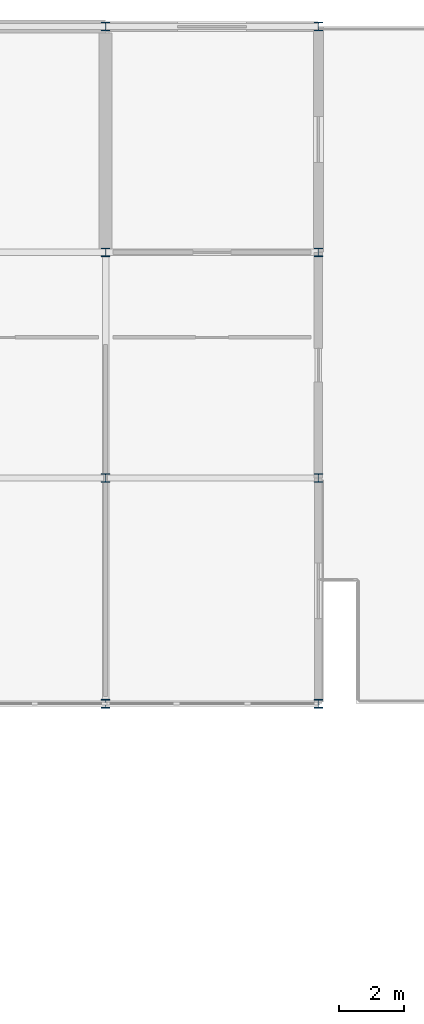
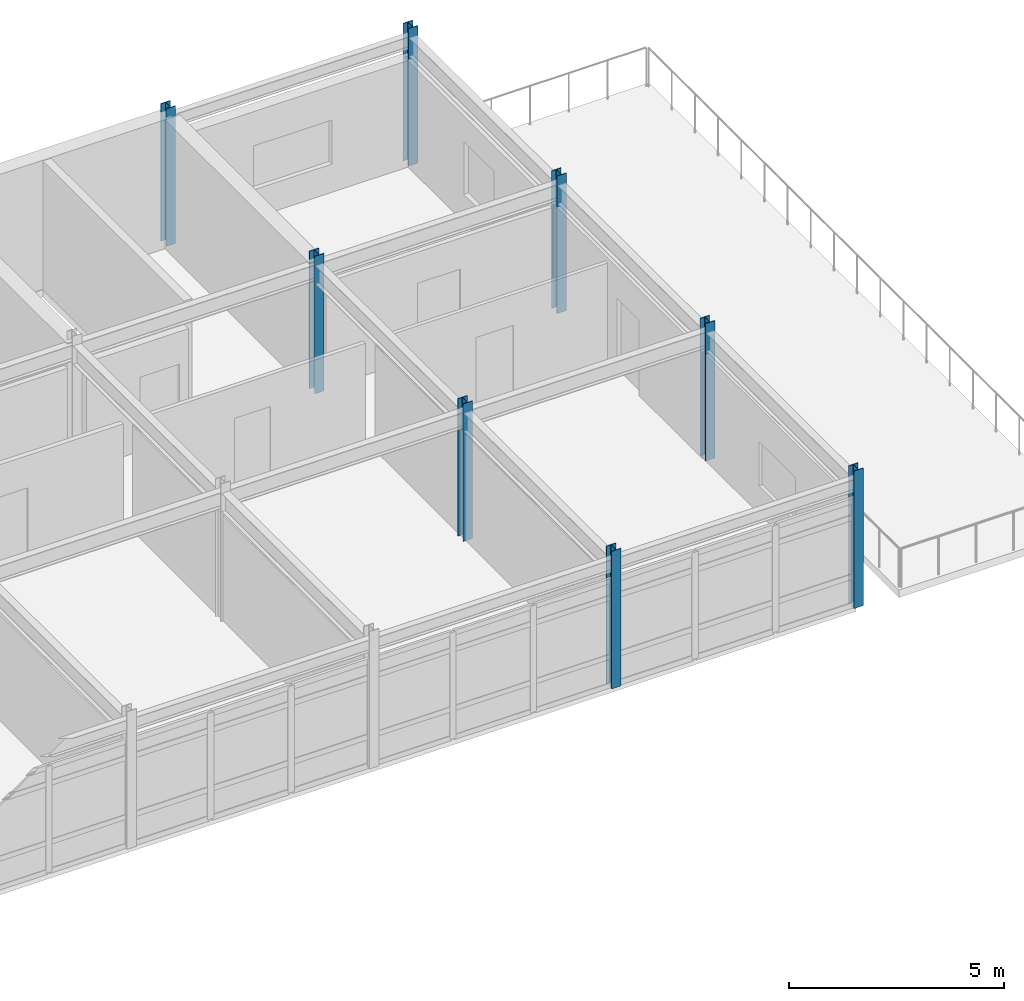
# One storey, part 12 of 57: 8 columns.
"""IFC4 building model written with IfcOpenShell, lengths in metres."""

from ifc_helpers import new_model, si_unit, direction, frame, origin, origin_2d, place, context, subcontext, project, spatial, i_section, extrude, material, material_profile, profile_set, type_object, element, save


model = new_model("IFC4")

# Units and contexts
model_context = context("Model", 3, precision=1e-05, world=origin(), true_north=direction((0.0, 1.0)))
body_context = subcontext(model_context, "Body", "Model", "MODEL_VIEW")
ifc_project = project(units=[si_unit("LENGTHUNIT", "METRE"), si_unit("AREAUNIT", "SQUARE_METRE"), si_unit("VOLUMEUNIT", "CUBIC_METRE"), si_unit("PLANEANGLEUNIT", "RADIAN"), si_unit("MASSUNIT", "GRAM", prefix="KILO")], contexts=[model_context])

# Site, building, storey
site_placement = place(None, origin())
site = spatial("IfcSite", under=ifc_project, at=site_placement, CompositionType="ELEMENT")
building_placement = place(site_placement, origin())
building = spatial("IfcBuilding", under=site, at=building_placement, Name="Trelmorton Wharf Fire Station", CompositionType="ELEMENT")
storey_placement = place(building_placement, frame((0.0, 0.0, 13.5)))
storey = spatial("IfcBuildingStorey", under=building, at=storey_placement, Name="L03", CompositionType="ELEMENT", Elevation=13.5)

# Columns
ifc_material = material(Name="Steel Grade 350", Category="steel")
ifc_material_profile = material_profile(ifc_material, i_section(OverallWidth=0.256103515625, OverallDepth=0.260009765625, WebThickness=0.010498046875, FlangeThickness=0.017333984375, FilletRadius=0.0126953125, at=origin_2d()), Name="250UC89.5")
ifc_profile_set = profile_set([ifc_material_profile], Name="Steel Grade 350")
column_type = type_object("IfcColumnType", Name="COL_250UC89", PredefinedType="COLUMN", material=ifc_profile_set)
for number, where, z_axis, x_axis, name in (
    (1, (149.5, 60.300048828125, 0.0), (0.0, 0.0, 1.0), (1.0, 0.0, 0.0), "COL-L03-0676"),
    (2, (149.5, 67.199951171875, 0.0), (0.0, 0.0, 1.0), (1.0, 0.0, 0.0), "COL-L03-0677"),
    (3, (149.5, 74.10009765625, 0.0), (0.0, 0.0, 1.0), (1.0, 0.0, 0.0), "COL-L03-0678"),
    (4, (149.5, 81.0, 0.0), (0.0, 0.0, 1.0), (1.0, 0.0, 0.0), "COL-L03-0679"),
    (5, (156.0, 60.300048828125, 0.0), (0.0, 0.0, 1.0), (1.0, 0.0, 0.0), "COL-L03-0684"),
    (6, (156.0, 67.199951171875, 0.0), (0.0, 0.0, 1.0), (1.0, 0.0, 0.0), "COL-L03-0685"),
    (7, (156.0, 74.10009765625, 0.0), (0.0, 0.0, 1.0), (1.0, 0.0, 0.0), "COL-L03-0686"),
    (8, (156.0, 81.0, 0.0), (0.0, 0.0, 1.0), (1.0, 0.0, 0.0), "COL-L03-0687"),
):
    element("IfcColumn", number, at=place(storey_placement, frame(where, z_axis=z_axis, x_axis=x_axis)), inside=storey, type_object=column_type, Name=name, PredefinedType="COLUMN", context=body_context, shape_type="SweptSolid", body=[
        extrude(i_section(OverallWidth=0.256103515625, OverallDepth=0.260009765625, WebThickness=0.010498046875, FlangeThickness=0.017333984375, FilletRadius=0.0126953125, at=origin_2d()), origin(), (0.0, 0.0, 1.0), 3.89990234375),
    ])

save(model, "model.ifc")
